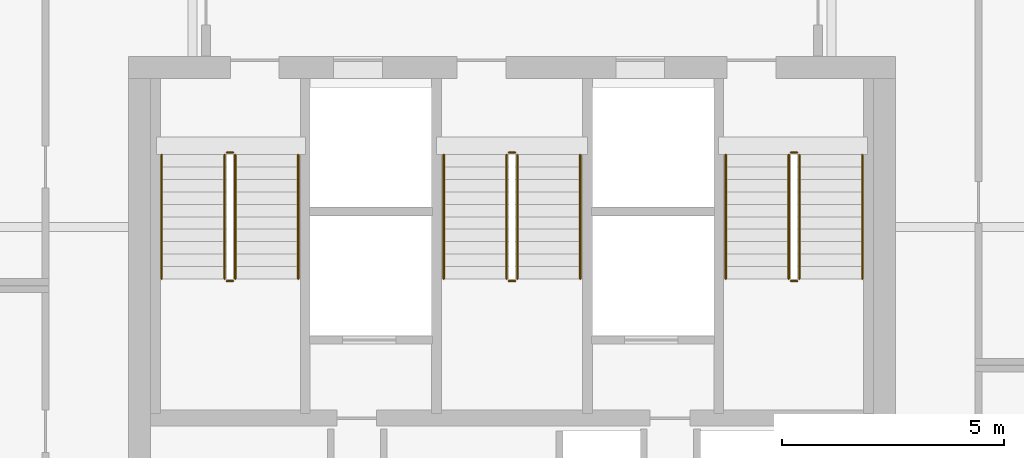
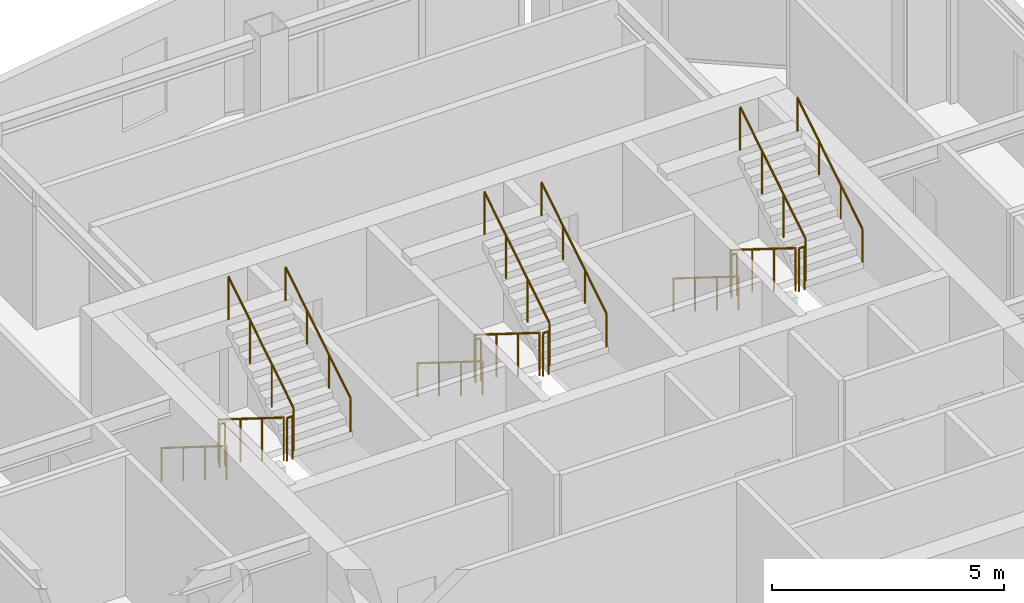
# One storey, part 10 of 10: 18 railings.
"""IFC4 building model written with IfcOpenShell, lengths in metres."""

import ifcopenshell
import ifcopenshell.guid

model = None  # the IFC model being written
_history = None  # IfcOwnerHistory: only IFC2X3 demands one
_inside = {}  # id of a spatial element -> (the spatial element, [elements in it])
_under = {}  # id of a project, library or spatial element -> (it, [spatial elements below it])
_declared = {}  # id of a project -> (the project, [libraries it declares])
_typed = {}  # id of a type object -> (the type object, [elements of that type])
_made_of = {}  # id of a material, layer set ... -> (it, [elements and type objects made of it])


def new_model(schema):
    """Start an empty IFC model of exactly this schema.

    Asked for "IFC4X3", IfcOpenShell would pick the latest addendum, in which some entities
    have other attributes; the version numbers below select the first issue.
    IFC2X3 requires an IfcOwnerHistory on every rooted entity: one is made here for all.
    """
    global model, _history
    if schema == "IFC4X3":
        model = ifcopenshell.file(schema_version=(4, 3, 0, 0))
    else:
        model = ifcopenshell.file(schema=schema)
    _inside.clear()
    _under.clear()
    _declared.clear()
    _typed.clear()
    _made_of.clear()
    _history = None
    if model.schema == "IFC2X3":
        org = make("IfcOrganization", Name="unknown")
        user = make(
            "IfcPersonAndOrganization",
            ThePerson=make("IfcPerson", FamilyName="unknown"),
            TheOrganization=org,
        )
        app = make(
            "IfcApplication",
            ApplicationDeveloper=org,
            Version="unknown",
            ApplicationFullName="unknown",
            ApplicationIdentifier="unknown",
        )
        _history = make(
            "IfcOwnerHistory",
            OwningUser=user,
            OwningApplication=app,
            ChangeAction="ADDED",
            CreationDate=0,
        )
    return model


def make(cls, **values):
    """One entity of the class cls with the attributes given. An attribute that is None is left unset."""
    return model.create_entity(
        cls, **{name: value for name, value in values.items() if value is not None}
    )


def rooted(cls, **values):
    """An entity with a GlobalId (a new one), such as an element, a storey or a relation."""
    return make(cls, GlobalId=ifcopenshell.guid.new(), OwnerHistory=_history, **values)


def si_unit(unit_type, name, prefix=None):
    """IfcSIUnit, for example si_unit("LENGTHUNIT", "METRE", prefix="MILLI")."""
    return make("IfcSIUnit", UnitType=unit_type, Prefix=prefix, Name=name)


def assignment(units):
    """IfcUnitAssignment: the units of a project."""
    return None if units is None else make("IfcUnitAssignment", Units=units)


def point(xyz):
    """IfcCartesianPoint."""
    return None if xyz is None else make("IfcCartesianPoint", Coordinates=xyz)


def direction(xyz):
    """IfcDirection."""
    return None if xyz is None else make("IfcDirection", DirectionRatios=xyz)


def frame(location, z_axis=None, x_axis=None):
    """IfcAxis2Placement3D, a coordinate frame: its origin and axes. An axis left out is left unset."""
    return make(
        "IfcAxis2Placement3D",
        Location=point(location),
        Axis=direction(z_axis),
        RefDirection=direction(x_axis),
    )


def frame_2d(location, x_axis=None):
    """IfcAxis2Placement2D, a coordinate frame in the plane: its origin and x axis."""
    return make(
        "IfcAxis2Placement2D", Location=point(location), RefDirection=direction(x_axis)
    )


def origin():
    """The frame at (0, 0, 0) with its axes left unset."""
    return frame((0.0, 0.0, 0.0))


def origin_2d():
    """The frame at (0, 0) in the plane with its x axis left unset."""
    return frame_2d((0.0, 0.0))


def place(relative_to, where):
    """IfcLocalPlacement: puts the frame where relative to a parent placement (None: the world)."""
    return make(
        "IfcLocalPlacement", PlacementRelTo=relative_to, RelativePlacement=where
    )


def context(
    kind, dimensions, precision=None, world=None, true_north=None, identifier=None
):
    """IfcGeometricRepresentationContext, for example the 3D "Model" context."""
    return make(
        "IfcGeometricRepresentationContext",
        ContextIdentifier=identifier,
        ContextType=kind,
        CoordinateSpaceDimension=dimensions,
        Precision=precision,
        WorldCoordinateSystem=world,
        TrueNorth=true_north,
    )


def subcontext(parent, identifier, kind, view, scale=None):
    """IfcGeometricRepresentationSubContext, for example "Body" below "Model"."""
    return make(
        "IfcGeometricRepresentationSubContext",
        ContextIdentifier=identifier,
        ContextType=kind,
        ParentContext=parent,
        TargetScale=scale,
        TargetView=view,
    )


def project(units=None, contexts=None):
    """IfcProject with its units and contexts."""
    return rooted(
        "IfcProject",
        Name="project",
        RepresentationContexts=contexts,
        UnitsInContext=assignment(units),
    )


def spatial(cls, under=None, at=None, **own):
    """A site, building, storey or space (cls), placed at a placement, below another one or the project."""
    s = rooted(cls, ObjectPlacement=at, **own)
    if under is not None:
        _under.setdefault(under.id(), (under, []))[1].append(s)
    return s


def profile(cls, at=None, kind="AREA", **sizes):
    """A parametric profile (cls). Its sizes go by their IFC names, for example OverallWidth=200.0."""
    return make(cls, ProfileType=kind, Position=at, **sizes)


def circle(**sizes):
    """IfcCircleProfileDef."""
    return profile("IfcCircleProfileDef", **sizes)


def extrude(swept, where, along, depth):
    """IfcExtrudedAreaSolid: the profile swept, set in the frame where, extruded along a direction by depth."""
    return make(
        "IfcExtrudedAreaSolid",
        SweptArea=swept,
        Position=where,
        ExtrudedDirection=direction(along),
        Depth=depth,
    )


def shape(context_of_items, identifier, shape_type, items):
    """IfcShapeRepresentation: the items that make up one representation, for example the "Body"."""
    return make(
        "IfcShapeRepresentation",
        ContextOfItems=context_of_items,
        RepresentationIdentifier=identifier,
        RepresentationType=shape_type,
        Items=items,
    )


def material(Name=None, Category=None):
    """IfcMaterial."""
    return make("IfcMaterial", Name=Name, Category=Category)


def made_of(thing, what):
    """Note that an element or type object is made of a material, layer set ...; save() writes the relation."""
    if what is not None:
        _made_of.setdefault(what.id(), (what, []))[1].append(thing)
    return thing


def type_object(cls, material=None, **own):
    """A type object (cls), such as IfcWallType, which elements share."""
    return made_of(rooted(cls, **own), material)


def element(
    cls,
    number,
    at=None,
    inside=None,
    cuts=None,
    type_object=None,
    material=None,
    context=None,
    identifier="Body",
    shape_type=None,
    held_by="IfcProductDefinitionShape",
    body=None,
    shapes=None,
    **own,
):
    """One element of the class cls, such as IfcWall. Its Tag is "e" and its number.

    at: its placement. inside: the storey or other place that contains it. cuts: it is an
    opening in that element (IfcRelVoidsElement). A single representation is given by context,
    identifier, shape_type and body (its items); several are given by shapes. held_by: the class
    of the entity that holds the representations. save() writes the other relations.
    """
    e = rooted(cls, Tag="e%d" % number, ObjectPlacement=at, **own)
    if body is not None:
        shapes = [shape(context, identifier, shape_type, body)]
    if shapes is not None:
        e.Representation = make(held_by, Representations=shapes)
    if inside is not None:
        _inside.setdefault(inside.id(), (inside, []))[1].append(e)
    if cuts is not None:
        rooted(
            "IfcRelVoidsElement", RelatingBuildingElement=cuts, RelatedOpeningElement=e
        )
    if type_object is not None:
        _typed.setdefault(type_object.id(), (type_object, []))[1].append(e)
    return made_of(e, material)


def aggregate(whole, parts):
    """IfcRelAggregates: a whole, such as a stair, and the parts it consists of."""
    return rooted("IfcRelAggregates", RelatingObject=whole, RelatedObjects=parts)


def save(model, path):
    """Write the relations noted so far, then the file.

    IfcRelAggregates (storeys below a building ...), IfcRelContainedInSpatialStructure (elements
    in a storey), IfcRelDefinesByType, IfcRelAssociatesMaterial and IfcRelDeclares: one each for
    every whole, place, type object, material and project.
    """
    for whole, parts in _under.values():
        aggregate(whole, parts)
    for where, things in _inside.values():
        rooted(
            "IfcRelContainedInSpatialStructure",
            RelatedElements=things,
            RelatingStructure=where,
        )
    for kind, things in _typed.values():
        rooted("IfcRelDefinesByType", RelatedObjects=things, RelatingType=kind)
    for what, things in _made_of.values():
        rooted("IfcRelAssociatesMaterial", RelatedObjects=things, RelatingMaterial=what)
    for by, libraries in _declared.values():
        rooted("IfcRelDeclares", RelatingContext=by, RelatedDefinitions=libraries)
    model.write(path)


model = new_model("IFC4")

# Units and contexts
model_context = context("Model", 3, precision=1e-05, world=origin(), true_north=direction((0.0, 1.0)))
body_context = subcontext(model_context, "Body", "Model", "MODEL_VIEW")
ifc_project = project(units=[si_unit("LENGTHUNIT", "METRE"), si_unit("AREAUNIT", "SQUARE_METRE"), si_unit("VOLUMEUNIT", "CUBIC_METRE"), si_unit("PLANEANGLEUNIT", "RADIAN"), si_unit("MASSUNIT", "GRAM", prefix="KILO")], contexts=[model_context])

# Site, building, storey
site_placement = place(None, origin())
site = spatial("IfcSite", under=ifc_project, at=site_placement, CompositionType="ELEMENT")
building_placement = place(site_placement, origin())
building = spatial("IfcBuilding", under=site, at=building_placement, Name="Haolan Belvedere Tower", CompositionType="ELEMENT")
storey_placement = place(building_placement, frame((0.0, 0.0, 266.0)))
storey = spatial("IfcBuildingStorey", under=building, at=storey_placement, Name="L67", CompositionType="ELEMENT", Elevation=266.0)

# Railings
ifc_material = material(Name="Brushed stainless steel 304", Category="steel")
railing_type_1 = type_object("IfcRailingType", Name="RL-STAIR-GRD-1150", PredefinedType="GUARDRAIL", material=ifc_material)
railing_1_placement = place(storey_placement, frame((31.919921875, 41.22998046875, 0.175048828125)))
element("IfcRailing", 1, at=railing_1_placement, inside=storey, type_object=railing_type_1, Name="L67 ST1 stair guard 1", PredefinedType="GUARDRAIL", context=body_context, shape_type="SweptSolid", body=[
    extrude(circle(Radius=0.02392578125, at=origin_2d()), frame((0.0, 0.0, 1.1259765625), z_axis=(0.0, -0.848002457836, 0.529992293815), x_axis=(1.0, 0.0, 0.0)), (0.0, 0.0, 1.0), 3.302001953125),
    extrude(circle(Radius=0.02099609375, at=origin_2d()), origin(), (0.0, 0.0, 1.0), 1.101806640625),
    extrude(circle(Radius=0.02099609375, at=origin_2d()), frame((0.0, -0.933349609375, 0.583251953125)), (0.0, 0.0, 1.0), 1.101806640625),
    extrude(circle(Radius=0.02099609375, at=origin_2d()), frame((0.0, -1.86669921875, 1.166748046875)), (0.0, 0.0, 1.0), 1.101806640625),
    extrude(circle(Radius=0.02099609375, at=origin_2d()), frame((0.0, -2.800048828125, 1.75)), (0.0, 0.0, 1.0), 1.101806640625),
])
railing_2_placement = place(storey_placement, frame((31.969970703125, 38.3798828125, 1.925048828125)))
element("IfcRailing", 2, at=railing_2_placement, inside=storey, type_object=railing_type_1, Name="L67 ST1 stair guard 2", PredefinedType="GUARDRAIL", context=body_context, shape_type="SweptSolid", body=[
    extrude(circle(Radius=0.02392578125, at=origin_2d()), frame((0.0, 0.0, 1.1259765625), z_axis=(1.0, 0.0, 0.0), x_axis=(0.0, 1.0, 0.0)), (0.0, 0.0, 1.0), 0.14013671875),
    extrude(circle(Radius=0.02099609375, at=origin_2d()), origin(), (0.0, 0.0, 1.0), 1.101806640625),
    extrude(circle(Radius=0.02099609375, at=origin_2d()), frame((0.14013671875, 0.0, 0.0)), (0.0, 0.0, 1.0), 1.101806640625),
])
railing_3_placement = place(storey_placement, frame((32.159912109375, 38.429931640625, 2.10009765625)))
element("IfcRailing", 3, at=railing_3_placement, inside=storey, type_object=railing_type_1, Name="L67 ST1 stair guard 3", PredefinedType="GUARDRAIL", context=body_context, shape_type="SweptSolid", body=[
    extrude(circle(Radius=0.02392578125, at=origin_2d()), frame((0.0, 0.0, 1.1259765625), z_axis=(0.0, 0.848002457836, 0.529992293815), x_axis=(-1.0, 0.0, 0.0)), (0.0, 0.0, 1.0), 3.302001953125),
    extrude(circle(Radius=0.02099609375, at=origin_2d()), origin(), (0.0, 0.0, 1.0), 1.101806640625),
    extrude(circle(Radius=0.02099609375, at=origin_2d()), frame((0.0, 0.933349609375, 0.583251953125)), (0.0, 0.0, 1.0), 1.101806640625),
    extrude(circle(Radius=0.02099609375, at=origin_2d()), frame((0.0, 1.86669921875, 1.166748046875)), (0.0, 0.0, 1.0), 1.101806640625),
    extrude(circle(Radius=0.02099609375, at=origin_2d()), frame((0.0, 2.800048828125, 1.75)), (0.0, 0.0, 1.0), 1.101806640625),
])
railing_4_placement = place(storey_placement, frame((31.969970703125, 41.280029296875, 0.0)))
element("IfcRailing", 4, at=railing_4_placement, inside=storey, type_object=railing_type_1, Name="L67 ST1 stair guard 4", PredefinedType="GUARDRAIL", context=body_context, shape_type="SweptSolid", body=[
    extrude(circle(Radius=0.02392578125, at=origin_2d()), frame((0.0, 0.0, 1.1259765625), z_axis=(1.0, 0.0, 0.0), x_axis=(0.0, 1.0, 0.0)), (0.0, 0.0, 1.0), 0.14013671875),
    extrude(circle(Radius=0.02099609375, at=origin_2d()), origin(), (0.0, 0.0, 1.0), 1.101806640625),
    extrude(circle(Radius=0.02099609375, at=origin_2d()), frame((0.14013671875, 0.0, 0.0)), (0.0, 0.0, 1.0), 1.101806640625),
])
railing_5_placement = place(storey_placement, frame((38.280029296875, 41.22998046875, 0.175048828125)))
element("IfcRailing", 5, at=railing_5_placement, inside=storey, type_object=railing_type_1, Name="L67 ST3 stair guard 1", PredefinedType="GUARDRAIL", context=body_context, shape_type="SweptSolid", body=[
    extrude(circle(Radius=0.02392578125, at=origin_2d()), frame((0.0, 0.0, 1.1259765625), z_axis=(0.0, -0.848002457836, 0.529992293815), x_axis=(1.0, 0.0, 0.0)), (0.0, 0.0, 1.0), 3.302001953125),
    extrude(circle(Radius=0.02099609375, at=origin_2d()), origin(), (0.0, 0.0, 1.0), 1.101806640625),
    extrude(circle(Radius=0.02099609375, at=origin_2d()), frame((0.0, -0.933349609375, 0.583251953125)), (0.0, 0.0, 1.0), 1.101806640625),
    extrude(circle(Radius=0.02099609375, at=origin_2d()), frame((0.0, -1.86669921875, 1.166748046875)), (0.0, 0.0, 1.0), 1.101806640625),
    extrude(circle(Radius=0.02099609375, at=origin_2d()), frame((0.0, -2.800048828125, 1.75)), (0.0, 0.0, 1.0), 1.101806640625),
])
railing_6_placement = place(storey_placement, frame((38.330078125, 38.3798828125, 1.925048828125)))
element("IfcRailing", 6, at=railing_6_placement, inside=storey, type_object=railing_type_1, Name="L67 ST3 stair guard 2", PredefinedType="GUARDRAIL", context=body_context, shape_type="SweptSolid", body=[
    extrude(circle(Radius=0.02392578125, at=origin_2d()), frame((0.0, 0.0, 1.1259765625), z_axis=(1.0, 0.0, 0.0), x_axis=(0.0, 1.0, 0.0)), (0.0, 0.0, 1.0), 0.139892578125),
    extrude(circle(Radius=0.02099609375, at=origin_2d()), origin(), (0.0, 0.0, 1.0), 1.101806640625),
    extrude(circle(Radius=0.02099609375, at=origin_2d()), frame((0.139892578125, 0.0, 0.0)), (0.0, 0.0, 1.0), 1.101806640625),
])
railing_7_placement = place(storey_placement, frame((38.52001953125, 38.429931640625, 2.10009765625)))
element("IfcRailing", 7, at=railing_7_placement, inside=storey, type_object=railing_type_1, Name="L67 ST3 stair guard 3", PredefinedType="GUARDRAIL", context=body_context, shape_type="SweptSolid", body=[
    extrude(circle(Radius=0.02392578125, at=origin_2d()), frame((0.0, 0.0, 1.1259765625), z_axis=(0.0, 0.848002457836, 0.529992293815), x_axis=(-1.0, 0.0, 0.0)), (0.0, 0.0, 1.0), 3.302001953125),
    extrude(circle(Radius=0.02099609375, at=origin_2d()), origin(), (0.0, 0.0, 1.0), 1.101806640625),
    extrude(circle(Radius=0.02099609375, at=origin_2d()), frame((0.0, 0.933349609375, 0.583251953125)), (0.0, 0.0, 1.0), 1.101806640625),
    extrude(circle(Radius=0.02099609375, at=origin_2d()), frame((0.0, 1.86669921875, 1.166748046875)), (0.0, 0.0, 1.0), 1.101806640625),
    extrude(circle(Radius=0.02099609375, at=origin_2d()), frame((0.0, 2.800048828125, 1.75)), (0.0, 0.0, 1.0), 1.101806640625),
])
railing_8_placement = place(storey_placement, frame((38.330078125, 41.280029296875, 0.0)))
element("IfcRailing", 8, at=railing_8_placement, inside=storey, type_object=railing_type_1, Name="L67 ST3 stair guard 4", PredefinedType="GUARDRAIL", context=body_context, shape_type="SweptSolid", body=[
    extrude(circle(Radius=0.02392578125, at=origin_2d()), frame((0.0, 0.0, 1.1259765625), z_axis=(1.0, 0.0, 0.0), x_axis=(0.0, 1.0, 0.0)), (0.0, 0.0, 1.0), 0.139892578125),
    extrude(circle(Radius=0.02099609375, at=origin_2d()), origin(), (0.0, 0.0, 1.0), 1.101806640625),
    extrude(circle(Radius=0.02099609375, at=origin_2d()), frame((0.139892578125, 0.0, 0.0)), (0.0, 0.0, 1.0), 1.101806640625),
])
railing_9_placement = place(storey_placement, frame((44.639892578125, 41.22998046875, 0.175048828125)))
element("IfcRailing", 9, at=railing_9_placement, inside=storey, type_object=railing_type_1, Name="L67 ST2 stair guard 1", PredefinedType="GUARDRAIL", context=body_context, shape_type="SweptSolid", body=[
    extrude(circle(Radius=0.02392578125, at=origin_2d()), frame((0.0, 0.0, 1.1259765625), z_axis=(0.0, -0.848002457836, 0.529992293815), x_axis=(1.0, 0.0, 0.0)), (0.0, 0.0, 1.0), 3.302001953125),
    extrude(circle(Radius=0.02099609375, at=origin_2d()), origin(), (0.0, 0.0, 1.0), 1.101806640625),
    extrude(circle(Radius=0.02099609375, at=origin_2d()), frame((0.0, -0.933349609375, 0.583251953125)), (0.0, 0.0, 1.0), 1.101806640625),
    extrude(circle(Radius=0.02099609375, at=origin_2d()), frame((0.0, -1.86669921875, 1.166748046875)), (0.0, 0.0, 1.0), 1.101806640625),
    extrude(circle(Radius=0.02099609375, at=origin_2d()), frame((0.0, -2.800048828125, 1.75)), (0.0, 0.0, 1.0), 1.101806640625),
])
railing_10_placement = place(storey_placement, frame((44.68994140625, 38.3798828125, 1.925048828125)))
element("IfcRailing", 10, at=railing_10_placement, inside=storey, type_object=railing_type_1, Name="L67 ST2 stair guard 2", PredefinedType="GUARDRAIL", context=body_context, shape_type="SweptSolid", body=[
    extrude(circle(Radius=0.02392578125, at=origin_2d()), frame((0.0, 0.0, 1.1259765625), z_axis=(1.0, 0.0, 0.0), x_axis=(0.0, 1.0, 0.0)), (0.0, 0.0, 1.0), 0.14013671875),
    extrude(circle(Radius=0.02099609375, at=origin_2d()), origin(), (0.0, 0.0, 1.0), 1.101806640625),
    extrude(circle(Radius=0.02099609375, at=origin_2d()), frame((0.14013671875, 0.0, 0.0)), (0.0, 0.0, 1.0), 1.101806640625),
])
railing_11_placement = place(storey_placement, frame((44.8798828125, 38.429931640625, 2.10009765625)))
element("IfcRailing", 11, at=railing_11_placement, inside=storey, type_object=railing_type_1, Name="L67 ST2 stair guard 3", PredefinedType="GUARDRAIL", context=body_context, shape_type="SweptSolid", body=[
    extrude(circle(Radius=0.02392578125, at=origin_2d()), frame((0.0, 0.0, 1.1259765625), z_axis=(0.0, 0.848002457836, 0.529992293815), x_axis=(-1.0, 0.0, 0.0)), (0.0, 0.0, 1.0), 3.302001953125),
    extrude(circle(Radius=0.02099609375, at=origin_2d()), origin(), (0.0, 0.0, 1.0), 1.101806640625),
    extrude(circle(Radius=0.02099609375, at=origin_2d()), frame((0.0, 0.933349609375, 0.583251953125)), (0.0, 0.0, 1.0), 1.101806640625),
    extrude(circle(Radius=0.02099609375, at=origin_2d()), frame((0.0, 1.86669921875, 1.166748046875)), (0.0, 0.0, 1.0), 1.101806640625),
    extrude(circle(Radius=0.02099609375, at=origin_2d()), frame((0.0, 2.800048828125, 1.75)), (0.0, 0.0, 1.0), 1.101806640625),
])
railing_12_placement = place(storey_placement, frame((44.68994140625, 41.280029296875, 0.0)))
element("IfcRailing", 12, at=railing_12_placement, inside=storey, type_object=railing_type_1, Name="L67 ST2 stair guard 4", PredefinedType="GUARDRAIL", context=body_context, shape_type="SweptSolid", body=[
    extrude(circle(Radius=0.02392578125, at=origin_2d()), frame((0.0, 0.0, 1.1259765625), z_axis=(1.0, 0.0, 0.0), x_axis=(0.0, 1.0, 0.0)), (0.0, 0.0, 1.0), 0.14013671875),
    extrude(circle(Radius=0.02099609375, at=origin_2d()), origin(), (0.0, 0.0, 1.0), 1.101806640625),
    extrude(circle(Radius=0.02099609375, at=origin_2d()), frame((0.14013671875, 0.0, 0.0)), (0.0, 0.0, 1.0), 1.101806640625),
])
railing_type_2 = type_object("IfcRailingType", Name="RL-STAIR-HND-900", PredefinedType="HANDRAIL", material=ifc_material)
railing_13_placement = place(storey_placement, frame((30.5, 41.22998046875, 0.175048828125)))
element("IfcRailing", 13, at=railing_13_placement, inside=storey, type_object=railing_type_2, Name="L67 ST1 stair handrail 1", PredefinedType="HANDRAIL", context=body_context, shape_type="SweptSolid", body=[
    extrude(circle(Radius=0.02392578125, at=origin_2d()), frame((0.0, 0.0, 0.8759765625), z_axis=(0.0, -0.848002457836, 0.529992293815), x_axis=(1.0, 0.0, 0.0)), (0.0, 0.0, 1.0), 3.302001953125),
    extrude(circle(Radius=0.02099609375, at=origin_2d()), origin(), (0.0, 0.0, 1.0), 0.851806640625),
    extrude(circle(Radius=0.02099609375, at=origin_2d()), frame((0.0, -0.933349609375, 0.583251953125)), (0.0, 0.0, 1.0), 0.851806640625),
    extrude(circle(Radius=0.02099609375, at=origin_2d()), frame((0.0, -1.86669921875, 1.166748046875)), (0.0, 0.0, 1.0), 0.851806640625),
    extrude(circle(Radius=0.02099609375, at=origin_2d()), frame((0.0, -2.800048828125, 1.75)), (0.0, 0.0, 1.0), 0.851806640625),
])
railing_14_placement = place(storey_placement, frame((33.580078125, 38.429931640625, 2.10009765625)))
element("IfcRailing", 14, at=railing_14_placement, inside=storey, type_object=railing_type_2, Name="L67 ST1 stair handrail 2", PredefinedType="HANDRAIL", context=body_context, shape_type="SweptSolid", body=[
    extrude(circle(Radius=0.02392578125, at=origin_2d()), frame((0.0, 0.0, 0.8759765625), z_axis=(0.0, 0.848002457836, 0.529992293815), x_axis=(-1.0, 0.0, 0.0)), (0.0, 0.0, 1.0), 3.302001953125),
    extrude(circle(Radius=0.02099609375, at=origin_2d()), origin(), (0.0, 0.0, 1.0), 0.851806640625),
    extrude(circle(Radius=0.02099609375, at=origin_2d()), frame((0.0, 0.933349609375, 0.583251953125)), (0.0, 0.0, 1.0), 0.851806640625),
    extrude(circle(Radius=0.02099609375, at=origin_2d()), frame((0.0, 1.86669921875, 1.166748046875)), (0.0, 0.0, 1.0), 0.851806640625),
    extrude(circle(Radius=0.02099609375, at=origin_2d()), frame((0.0, 2.800048828125, 1.75)), (0.0, 0.0, 1.0), 0.851806640625),
])
railing_15_placement = place(storey_placement, frame((36.860107421875, 41.22998046875, 0.175048828125)))
element("IfcRailing", 15, at=railing_15_placement, inside=storey, type_object=railing_type_2, Name="L67 ST3 stair handrail 1", PredefinedType="HANDRAIL", context=body_context, shape_type="SweptSolid", body=[
    extrude(circle(Radius=0.02392578125, at=origin_2d()), frame((0.0, 0.0, 0.8759765625), z_axis=(0.0, -0.848002457836, 0.529992293815), x_axis=(1.0, 0.0, 0.0)), (0.0, 0.0, 1.0), 3.302001953125),
    extrude(circle(Radius=0.02099609375, at=origin_2d()), origin(), (0.0, 0.0, 1.0), 0.851806640625),
    extrude(circle(Radius=0.02099609375, at=origin_2d()), frame((0.0, -0.933349609375, 0.583251953125)), (0.0, 0.0, 1.0), 0.851806640625),
    extrude(circle(Radius=0.02099609375, at=origin_2d()), frame((0.0, -1.86669921875, 1.166748046875)), (0.0, 0.0, 1.0), 0.851806640625),
    extrude(circle(Radius=0.02099609375, at=origin_2d()), frame((0.0, -2.800048828125, 1.75)), (0.0, 0.0, 1.0), 0.851806640625),
])
railing_16_placement = place(storey_placement, frame((39.93994140625, 38.429931640625, 2.10009765625)))
element("IfcRailing", 16, at=railing_16_placement, inside=storey, type_object=railing_type_2, Name="L67 ST3 stair handrail 2", PredefinedType="HANDRAIL", context=body_context, shape_type="SweptSolid", body=[
    extrude(circle(Radius=0.02392578125, at=origin_2d()), frame((0.0, 0.0, 0.8759765625), z_axis=(0.0, 0.848002457836, 0.529992293815), x_axis=(-1.0, 0.0, 0.0)), (0.0, 0.0, 1.0), 3.302001953125),
    extrude(circle(Radius=0.02099609375, at=origin_2d()), origin(), (0.0, 0.0, 1.0), 0.851806640625),
    extrude(circle(Radius=0.02099609375, at=origin_2d()), frame((0.0, 0.933349609375, 0.583251953125)), (0.0, 0.0, 1.0), 0.851806640625),
    extrude(circle(Radius=0.02099609375, at=origin_2d()), frame((0.0, 1.86669921875, 1.166748046875)), (0.0, 0.0, 1.0), 0.851806640625),
    extrude(circle(Radius=0.02099609375, at=origin_2d()), frame((0.0, 2.800048828125, 1.75)), (0.0, 0.0, 1.0), 0.851806640625),
])
railing_17_placement = place(storey_placement, frame((43.219970703125, 41.22998046875, 0.175048828125)))
element("IfcRailing", 17, at=railing_17_placement, inside=storey, type_object=railing_type_2, Name="L67 ST2 stair handrail 1", PredefinedType="HANDRAIL", context=body_context, shape_type="SweptSolid", body=[
    extrude(circle(Radius=0.02392578125, at=origin_2d()), frame((0.0, 0.0, 0.8759765625), z_axis=(0.0, -0.848002457836, 0.529992293815), x_axis=(1.0, 0.0, 0.0)), (0.0, 0.0, 1.0), 3.302001953125),
    extrude(circle(Radius=0.02099609375, at=origin_2d()), origin(), (0.0, 0.0, 1.0), 0.851806640625),
    extrude(circle(Radius=0.02099609375, at=origin_2d()), frame((0.0, -0.933349609375, 0.583251953125)), (0.0, 0.0, 1.0), 0.851806640625),
    extrude(circle(Radius=0.02099609375, at=origin_2d()), frame((0.0, -1.86669921875, 1.166748046875)), (0.0, 0.0, 1.0), 0.851806640625),
    extrude(circle(Radius=0.02099609375, at=origin_2d()), frame((0.0, -2.800048828125, 1.75)), (0.0, 0.0, 1.0), 0.851806640625),
])
railing_18_placement = place(storey_placement, frame((46.300048828125, 38.429931640625, 2.10009765625)))
element("IfcRailing", 18, at=railing_18_placement, inside=storey, type_object=railing_type_2, Name="L67 ST2 stair handrail 2", PredefinedType="HANDRAIL", context=body_context, shape_type="SweptSolid", body=[
    extrude(circle(Radius=0.02392578125, at=origin_2d()), frame((0.0, 0.0, 0.8759765625), z_axis=(0.0, 0.848002457836, 0.529992293815), x_axis=(-1.0, 0.0, 0.0)), (0.0, 0.0, 1.0), 3.302001953125),
    extrude(circle(Radius=0.02099609375, at=origin_2d()), origin(), (0.0, 0.0, 1.0), 0.851806640625),
    extrude(circle(Radius=0.02099609375, at=origin_2d()), frame((0.0, 0.933349609375, 0.583251953125)), (0.0, 0.0, 1.0), 0.851806640625),
    extrude(circle(Radius=0.02099609375, at=origin_2d()), frame((0.0, 1.86669921875, 1.166748046875)), (0.0, 0.0, 1.0), 0.851806640625),
    extrude(circle(Radius=0.02099609375, at=origin_2d()), frame((0.0, 2.800048828125, 1.75)), (0.0, 0.0, 1.0), 0.851806640625),
])

save(model, "model.ifc")
